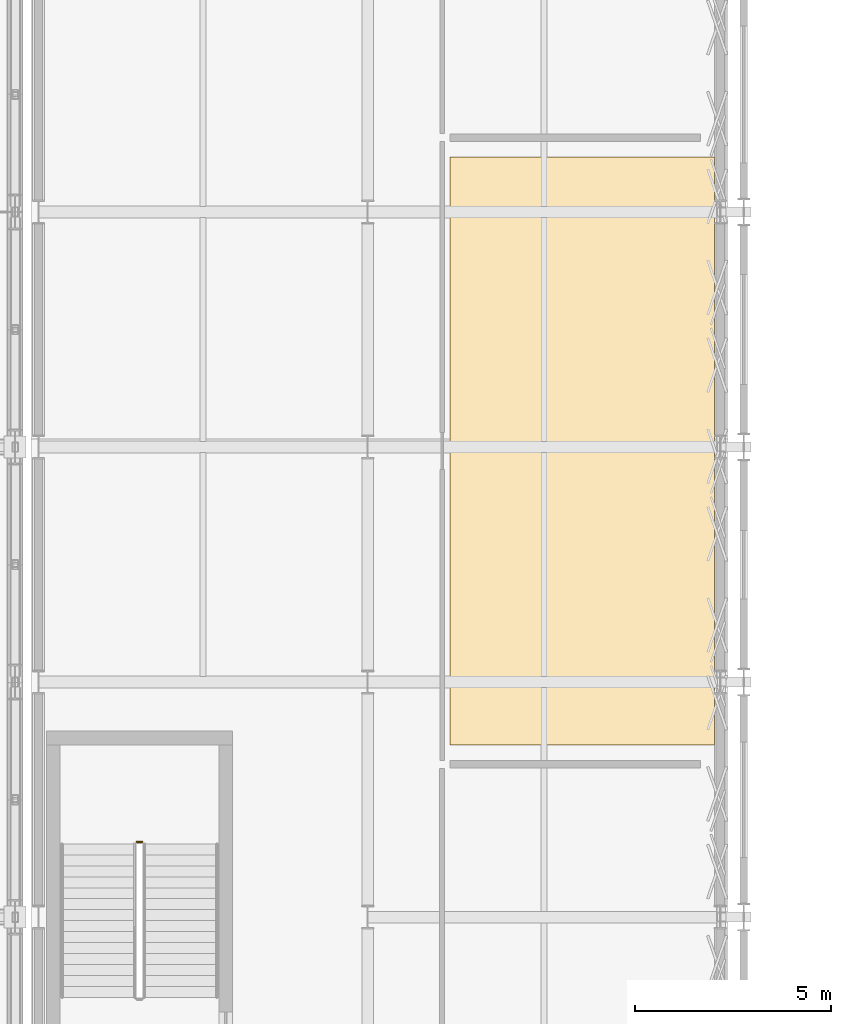
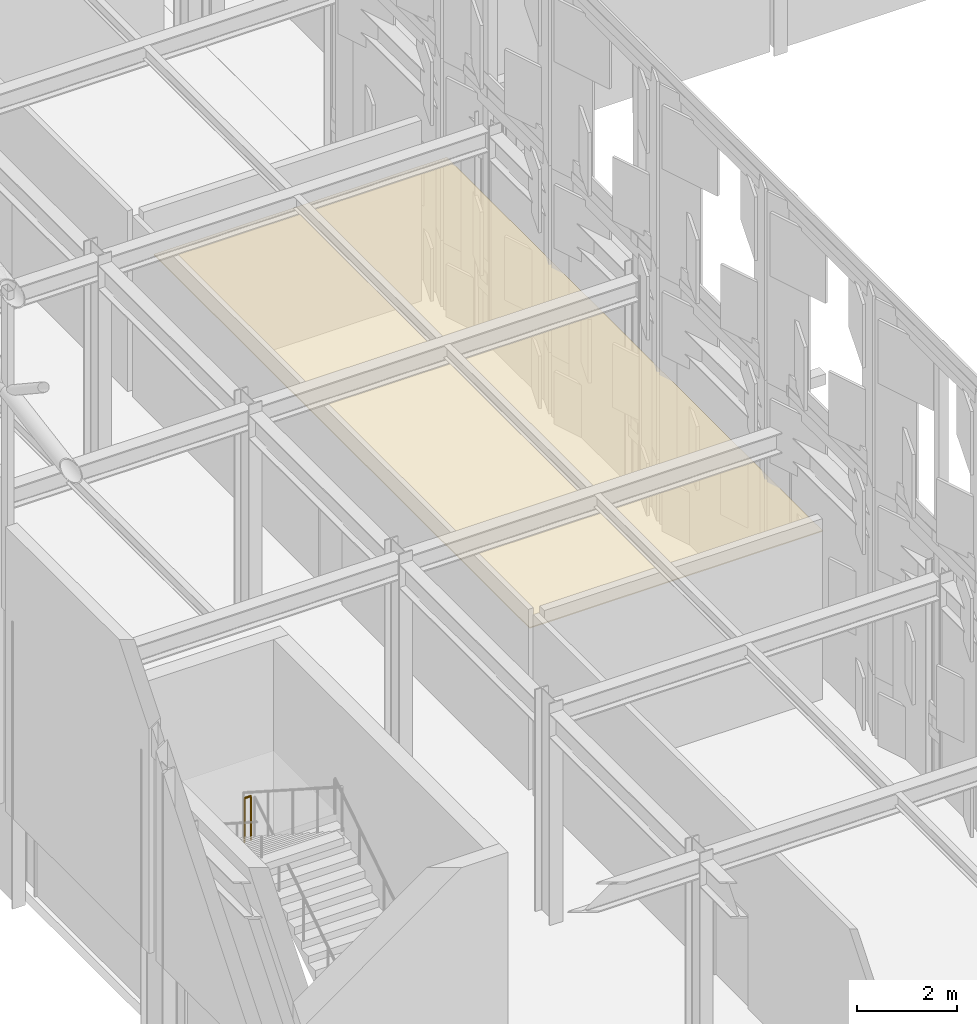
# One storey, part 235 of 239: 1 covering, 1 railing.
"""IFC4 building model written with IfcOpenShell, lengths in metres."""

from ifc_helpers import new_model, si_unit, direction, frame, origin, origin_2d, place, context, subcontext, project, spatial, polyline, circle, outline, extrude, material, layer, layer_set, type_object, element, save


model = new_model("IFC4")

# Units and contexts
model_context = context("Model", 3, precision=1e-05, world=origin(), true_north=direction((0.0, 1.0)))
body_context = subcontext(model_context, "Body", "Model", "MODEL_VIEW")
ifc_project = project(units=[si_unit("LENGTHUNIT", "METRE"), si_unit("AREAUNIT", "SQUARE_METRE"), si_unit("VOLUMEUNIT", "CUBIC_METRE"), si_unit("PLANEANGLEUNIT", "RADIAN"), si_unit("MASSUNIT", "GRAM", prefix="KILO")], contexts=[model_context])

# Site, building, storey
site_placement = place(None, origin())
site = spatial("IfcSite", under=ifc_project, at=site_placement, CompositionType="ELEMENT")
building_placement = place(site_placement, origin())
building = spatial("IfcBuilding", under=site, at=building_placement, Name="Kaldris Quays Convention Centre", CompositionType="ELEMENT")
storey_placement = place(building_placement, frame((0.0, 0.0, 11.39990234375)))
storey = spatial("IfcBuildingStorey", under=building, at=storey_placement, Name="L02", CompositionType="ELEMENT", Elevation=11.39990234375)

# Covering
ifc_material_1 = material(Name="Mineral fibre acoustic ceiling tile", Category="gypsum")
ifc_layer = layer(ifc_material_1, 0.02490234375)
ifc_layer_set = layer_set([ifc_layer], Name="Mineral fibre acoustic ceiling tile")
covering_type = type_object("IfcCoveringType", Name="ACOUSTIC MINERAL CEILING AC01", PredefinedType="CEILING", material=ifc_layer_set)
covering_placement = place(storey_placement, frame((0.0, 0.0, 3.60009765625)))
element("IfcCovering", 1, at=covering_placement, inside=storey, type_object=covering_type, Name="L02 Acoustic Ceiling Sail 4", PredefinedType="CEILING", context=body_context, shape_type="SweptSolid", body=[
    extrude(outline(polyline([(157.10009765625, 84.39990234375), (163.85009765625, 84.39990234375), (163.85009765625, 99.39990234375), (157.10009765625, 99.39990234375), (157.10009765625, 84.39990234375)])), origin(), (0.0, 0.0, 1.0), 0.02490234375),
])

# Railing
ifc_material_2 = material(Name="Steel S355J2", Category="steel")
railing_type = type_object("IfcRailingType", Name="INTERIOR GUARDRAIL GR01", PredefinedType="GUARDRAIL", material=ifc_material_2)
railing_placement = place(storey_placement, frame((149.25, 81.919921875, 2.7001953125)))
element("IfcRailing", 2, at=railing_placement, inside=storey, type_object=railing_type, Name="L02 ST14 Stair Guardrail 2", PredefinedType="GUARDRAIL", context=body_context, shape_type="SweptSolid", body=[
    extrude(circle(Radius=0.02392578125, at=origin_2d()), frame((0.0, 0.0, 1.076171875), z_axis=(-1.0, 0.0, 0.0), x_axis=(0.0, -1.0, 0.0)), (0.0, 0.0, 1.0), 0.14990234375),
    extrude(circle(Radius=0.02099609375, at=origin_2d()), origin(), (0.0, 0.0, 1.0), 1.052001953125),
    extrude(circle(Radius=0.02099609375, at=origin_2d()), frame((-0.14990234375, 0.0, 0.0)), (0.0, 0.0, 1.0), 1.052001953125),
])

save(model, "model.ifc")
